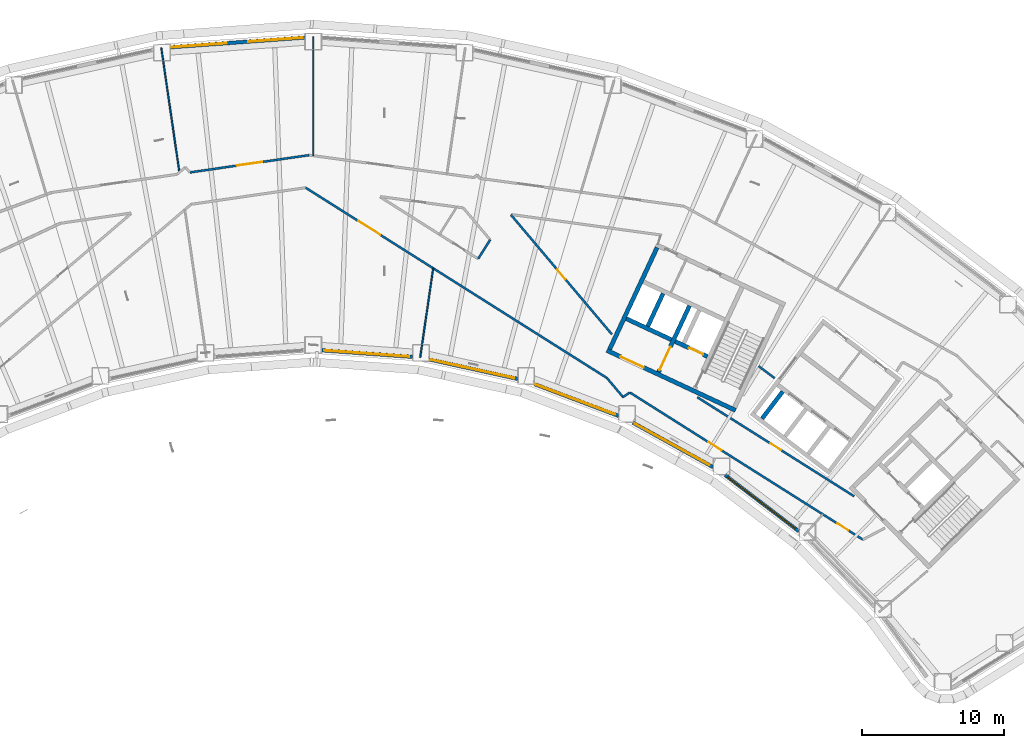
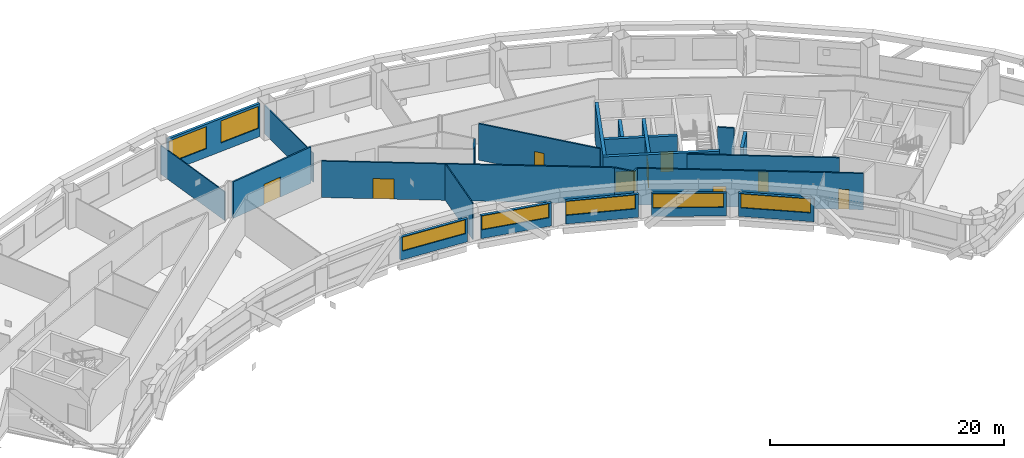
# One storey, part 5 of 19: 25 walls, 9 doors, 7 windows, 16 openings.
"""IFC4 building model written with IfcOpenShell, lengths in metres."""

from ifc_helpers import new_model, si_unit, direction, frame, frame_2d, origin, place, context, subcontext, project, spatial, rectangle, extrude, material, layer, layer_set, type_object, element, fill, save


model = new_model("IFC4")

# Units and contexts
model_context = context("Model", 3, precision=1e-05, world=origin(), true_north=direction((0.0, 1.0)))
body_context = subcontext(model_context, "Body", "Model", "MODEL_VIEW")
ifc_project = project(units=[si_unit("LENGTHUNIT", "METRE"), si_unit("AREAUNIT", "SQUARE_METRE"), si_unit("VOLUMEUNIT", "CUBIC_METRE"), si_unit("PLANEANGLEUNIT", "RADIAN"), si_unit("MASSUNIT", "GRAM", prefix="KILO")], contexts=[model_context])

# Site, building, storey
site_placement = place(None, origin())
site = spatial("IfcSite", under=ifc_project, at=site_placement, CompositionType="ELEMENT")
building_placement = place(site_placement, origin())
building = spatial("IfcBuilding", under=site, at=building_placement, Name="Tuul Gate Civic Tower", CompositionType="ELEMENT")
storey_placement = place(building_placement, frame((0.0, 0.0, 90.60009765625)))
storey = spatial("IfcBuildingStorey", under=building, at=storey_placement, Name="Level 20", CompositionType="ELEMENT", Elevation=90.60009765625)

# Wall, opening, door
ifc_material_1 = material(Name="Concrete C50/60", Category="concrete")
ifc_layer_1 = layer(ifc_material_1, 0.300048828125)
ifc_layer_set_1 = layer_set([ifc_layer_1], Name="Concrete C50/60")
wall_type_1 = type_object("IfcWallType", Name="Core wall C50/60", PredefinedType="SHEAR", material=ifc_layer_set_1)
wall_1_placement = place(storey_placement, frame((34.5283203125, -7.25, 0.0), z_axis=(0.0, 0.0, 1.0), x_axis=(-0.906310338845, 0.422612789327, 0.0)))
wall_1 = element("IfcWall", 1, at=wall_1_placement, inside=storey, type_object=wall_type_1, Name="Core wall", PredefinedType="SHEAR", context=body_context, shape_type="SweptSolid", body=[
    extrude(rectangle(XDim=9.999755859375, YDim=0.300048828125, at=frame_2d((5.0, 0.0))), origin(), (0.0, 0.0, 1.0), 3.7998046875),
])
opening_1_placement = place(wall_1_placement, frame((7.125, 0.0, 0.0)))
opening_1 = element("IfcOpeningElement", 2, at=opening_1_placement, cuts=wall_1, Name="Opening LB-E3-LOBBY-1", PredefinedType="OPENING", context=body_context, shape_type="SweptSolid", body=[
    extrude(rectangle(XDim=1.800048828125, YDim=2.10009765625, at=frame_2d((0.89990234375, 1.050048828125))), frame((0.0, 0.16015625, 0.0), z_axis=(0.0, -1.0, 0.0), x_axis=(1.0, 0.0, 0.0)), (0.0, 0.0, 1.0), 0.320068359375),
])
ifc_material_2 = material(Name="Steel", Category="steel")
door_type_1 = type_object("IfcDoorType", Name="Lobby door", OperationType="DOUBLE_DOOR_SINGLE_SWING", PredefinedType="DOOR", material=ifc_material_2)
door_1_placement = place(opening_1_placement, frame((1.800048828125, 0.0, 0.0), z_axis=(0.0, 0.0, 1.0), x_axis=(-1.0, 0.0, 0.0)))
door_1 = element("IfcDoor", 3, at=door_1_placement, inside=storey, type_object=door_type_1, Name="Lobby door E3-LOBBY", OperationType="DOUBLE_DOOR_SINGLE_SWING", OverallHeight=2.10009765625, OverallWidth=1.800048828125, PredefinedType="DOOR", context=body_context, shape_type="SweptSolid", body=[
    extrude(rectangle(XDim=1.800048828125, YDim=2.10009765625, at=frame_2d((0.900146484375, 1.050048828125))), frame((0.0, 0.02490234375, 0.0), z_axis=(0.0, -1.0, 0.0), x_axis=(1.0, 0.0, 0.0)), (0.0, 0.0, 1.0), 0.050048828125),
])
fill(opening_1, door_1)

wall_2_placement = place(storey_placement, frame((32.545654296875, -3.456787109375, 0.0), z_axis=(0.0, 0.0, 1.0), x_axis=(-0.906300357825, 0.42263419337, 0.0)))
wall_2 = element("IfcWall", 4, at=wall_2_placement, inside=storey, type_object=wall_type_1, Name="Core wall", PredefinedType="SHEAR", context=body_context, shape_type="SweptSolid", body=[
    extrude(rectangle(XDim=2.500244140625, YDim=0.300048828125, at=frame_2d((1.25, 0.0))), origin(), (0.0, 0.0, 1.0), 3.7998046875),
])
opening_2_placement = place(wall_2_placement, frame((0.324951171875, 0.0, 0.0)))
opening_2 = element("IfcOpeningElement", 5, at=opening_2_placement, cuts=wall_2, Name="Opening LD-FF-2", PredefinedType="OPENING", context=body_context, shape_type="SweptSolid", body=[
    extrude(rectangle(XDim=1.10009765625, YDim=2.10009765625, at=frame_2d((0.550048828125, 1.050048828125))), frame((0.0, 0.16015625, 0.0), z_axis=(0.0, -1.0, 0.0), x_axis=(1.0, 0.0, 0.0)), (0.0, 0.0, 1.0), 0.320068359375),
])
ifc_material_3 = material(Name="Stainless steel", Category="steel")
door_type_2 = type_object("IfcDoorType", Name="Landing door", OperationType="DOUBLE_DOOR_SLIDING", PredefinedType="DOOR", material=ifc_material_3)
door_2_placement = place(opening_2_placement, origin())
door_2 = element("IfcDoor", 6, at=door_2_placement, inside=storey, type_object=door_type_2, Name="Fire-fighting lift FF-2 landing door", OperationType="DOUBLE_DOOR_SLIDING", OverallHeight=2.10009765625, OverallWidth=1.10009765625, PredefinedType="DOOR", context=body_context, shape_type="SweptSolid", body=[
    extrude(rectangle(XDim=1.10009765625, YDim=2.10009765625, at=frame_2d((0.550048828125, 1.050048828125))), frame((0.0, 0.02490234375, 0.0), z_axis=(0.0, -1.0, 0.0), x_axis=(1.0, 0.0, 0.0)), (0.0, 0.0, 1.0), 0.050048828125),
])
fill(opening_2, door_2)

# Wall
wall_3_placement = place(storey_placement, frame((30.0078125, -2.2734375, 0.0), z_axis=(0.0, 0.0, 1.0), x_axis=(-0.90630071767, 0.422633421716, 0.0)))
element("IfcWall", 7, at=wall_3_placement, inside=storey, type_object=wall_type_1, Name="Core wall", PredefinedType="SHEAR", context=body_context, shape_type="SweptSolid", body=[
    extrude(rectangle(XDim=3.5, YDim=0.300048828125, at=frame_2d((1.75, 0.0))), origin(), (0.0, 0.0, 1.0), 3.7998046875),
])

# Wall, opening, door
wall_4_placement = place(storey_placement, frame((29.108642578125, -4.557373046875, 0.0), z_axis=(0.0, 0.0, 1.0), x_axis=(0.422566235356, 0.90633204552, 0.0)))
wall_4 = element("IfcWall", 8, at=wall_4_placement, inside=storey, type_object=wall_type_1, Name="Core wall", PredefinedType="SHEAR", context=body_context, shape_type="SweptSolid", body=[
    extrude(rectangle(XDim=5.150146484375, YDim=0.300048828125, at=frame_2d((2.5751953125, 0.0))), origin(), (0.0, 0.0, 1.0), 3.7998046875),
])
opening_3_placement = place(wall_4_placement, frame((0.175048828125, 0.0, 0.0)))
opening_3 = element("IfcOpeningElement", 9, at=opening_3_placement, cuts=wall_4, Name="Opening LB-E3-FLOBBY-1", PredefinedType="OPENING", context=body_context, shape_type="SweptSolid", body=[
    extrude(rectangle(XDim=1.800048828125, YDim=2.10009765625, at=frame_2d((0.89990234375, 1.050048828125))), frame((0.0, 0.16015625, 0.0), z_axis=(0.0, -1.0, 0.0), x_axis=(1.0, 0.0, 0.0)), (0.0, 0.0, 1.0), 0.320068359375),
])
door_3_placement = place(opening_3_placement, frame((1.800048828125, 0.0, 0.0), z_axis=(0.0, 0.0, 1.0), x_axis=(-1.0, 0.0, 0.0)))
door_3 = element("IfcDoor", 10, at=door_3_placement, inside=storey, type_object=door_type_1, Name="Lobby door E3-FLOBBY", OperationType="DOUBLE_DOOR_SINGLE_SWING", OverallHeight=2.10009765625, OverallWidth=1.800048828125, PredefinedType="DOOR", context=body_context, shape_type="SweptSolid", body=[
    extrude(rectangle(XDim=1.800048828125, YDim=2.10009765625, at=frame_2d((0.900146484375, 1.050048828125))), frame((0.0, 0.02490234375, 0.0), z_axis=(0.0, -1.0, 0.0), x_axis=(1.0, 0.0, 0.0)), (0.0, 0.0, 1.0), 0.050048828125),
])
fill(opening_3, door_3)

# Walls
wall_5_placement = place(storey_placement, frame((28.349365234375, -1.33447265625, 0.0), z_axis=(0.0, 0.0, 1.0), x_axis=(0.422612891016, 0.906310291427, 0.0)))
element("IfcWall", 11, at=wall_5_placement, inside=storey, type_object=wall_type_1, Name="Core wall", PredefinedType="SHEAR", context=body_context, shape_type="SweptSolid", body=[
    extrude(rectangle(XDim=2.550048828125, YDim=0.300048828125, at=frame_2d((1.27490234375, 0.0))), origin(), (0.0, 0.0, 1.0), 3.7998046875),
])
wall_6_placement = place(storey_placement, frame((25.66455078125, -2.951416015625, 0.0), z_axis=(0.0, 0.0, 1.0), x_axis=(0.422582604137, 0.906324413596, 0.0)))
element("IfcWall", 12, at=wall_6_placement, inside=storey, type_object=wall_type_1, Name="Core wall", PredefinedType="SHEAR", context=body_context, shape_type="SweptSolid", body=[
    extrude(rectangle(XDim=7.89990234375, YDim=0.300048828125, at=frame_2d((3.949951171875, 0.0))), origin(), (0.0, 0.0, 1.0), 3.7998046875),
])

# Wall, opening, door
ifc_material_4 = material(Name="Gypsum board partition")
ifc_layer_2 = layer(ifc_material_4, 0.14990234375)
ifc_layer_set_2 = layer_set([ifc_layer_2], Name="Gypsum board partition")
wall_type_2 = type_object("IfcWallType", Name="Corridor wall P150", PredefinedType="PARTITIONING", material=ifc_layer_set_2)
wall_7_placement = place(storey_placement, frame((18.71923828125, 6.51220703125, 0.0), z_axis=(0.0, 0.0, 1.0), x_axis=(0.645325771853, -0.763907486665, 0.0)))
wall_7 = element("IfcWall", 13, at=wall_7_placement, inside=storey, type_object=wall_type_2, Name="p016", PredefinedType="PARTITIONING", context=body_context, shape_type="SweptSolid", body=[
    extrude(rectangle(XDim=11.0107421875, YDim=0.14990234375, at=frame_2d((5.50537109375, 0.0))), origin(), (0.0, 0.0, 1.0), 3.7998046875),
])
opening_4_placement = place(wall_7_placement, frame((5.055419921875, 0.0, 0.0)))
opening_4 = element("IfcOpeningElement", 14, at=opening_4_placement, cuts=wall_7, Name="Opening F-D19", PredefinedType="OPENING", context=body_context, shape_type="SweptSolid", body=[
    extrude(rectangle(XDim=0.89990234375, YDim=2.10009765625, at=frame_2d((0.449951171875, 1.050048828125))), frame((0.0, 0.0849609375, 0.0), z_axis=(0.0, -1.0, 0.0), x_axis=(1.0, 0.0, 0.0)), (0.0, 0.0, 1.0), 0.169921875),
])
ifc_material_5 = material(Name="Timber door leaf", Category="wood")
door_type_3 = type_object("IfcDoorType", Name="Door D09", OperationType="NOTDEFINED", PredefinedType="DOOR", material=ifc_material_5)
door_4_placement = place(opening_4_placement, origin())
door_4 = element("IfcDoor", 15, at=door_4_placement, inside=storey, type_object=door_type_3, Name="Door F-D19", OperationType="SINGLE_SWING_RIGHT", OverallHeight=2.10009765625, OverallWidth=0.89990234375, PredefinedType="DOOR", context=body_context, shape_type="SweptSolid", body=[
    extrude(rectangle(XDim=0.89990234375, YDim=2.10009765625, at=frame_2d((0.449951171875, 1.050048828125))), frame((0.0, 0.02490234375, 0.0), z_axis=(0.0, -1.0, 0.0), x_axis=(1.0, 0.0, 0.0)), (0.0, 0.0, 1.0), 0.050048828125),
])
fill(opening_4, door_4)

wall_8_placement = place(storey_placement, frame((-3.867919921875, 9.49658203125, 0.0), z_axis=(0.0, 0.0, 1.0), x_axis=(0.98961974626, 0.143710673967, 0.0)))
wall_8 = element("IfcWall", 16, at=wall_8_placement, inside=storey, type_object=wall_type_2, Name="p022", PredefinedType="PARTITIONING", context=body_context, shape_type="SweptSolid", body=[
    extrude(rectangle(XDim=8.47900390625, YDim=0.14990234375, at=frame_2d((4.239501953125, 0.0))), origin(), (0.0, 0.0, 1.0), 3.7998046875),
])
opening_5_placement = place(wall_8_placement, frame((3.33935546875, 0.0, 0.0)))
opening_5 = element("IfcOpeningElement", 17, at=opening_5_placement, cuts=wall_8, Name="Opening F-D06", PredefinedType="OPENING", context=body_context, shape_type="SweptSolid", body=[
    extrude(rectangle(XDim=1.800048828125, YDim=2.10009765625, at=frame_2d((0.89990234375, 1.050048828125))), frame((0.0, 0.0849609375, 0.0), z_axis=(0.0, -1.0, 0.0), x_axis=(1.0, 0.0, 0.0)), (0.0, 0.0, 1.0), 0.169921875),
])
ifc_material_6 = material(Name="Timber door leaf, double", Category="wood")
door_type_4 = type_object("IfcDoorType", Name="Door D18", OperationType="DOUBLE_DOOR_SINGLE_SWING", PredefinedType="DOOR", material=ifc_material_6)
door_5_placement = place(opening_5_placement, origin())
door_5 = element("IfcDoor", 18, at=door_5_placement, inside=storey, type_object=door_type_4, Name="Door F-D06", OperationType="DOUBLE_DOOR_SINGLE_SWING", OverallHeight=2.10009765625, OverallWidth=1.800048828125, PredefinedType="DOOR", context=body_context, shape_type="SweptSolid", body=[
    extrude(rectangle(XDim=1.800048828125, YDim=2.10009765625, at=frame_2d((0.89990234375, 1.050048828125))), frame((0.0, 0.02490234375, 0.0), z_axis=(0.0, -1.0, 0.0), x_axis=(1.0, 0.0, 0.0)), (0.0, 0.0, 1.0), 0.050048828125),
])
fill(opening_5, door_5)

wall_9_placement = place(storey_placement, frame((4.27490234375, 8.418212890625, 0.0), z_axis=(0.0, 0.0, 1.0), x_axis=(0.845516906365, -0.5339486502, 0.0)))
wall_9 = element("IfcWall", 19, at=wall_9_placement, inside=storey, type_object=wall_type_2, Name="p036", PredefinedType="PARTITIONING", context=body_context, shape_type="SweptSolid", body=[
    extrude(rectangle(XDim=25.066162109375, YDim=0.14990234375, at=frame_2d((12.533203125, 0.0))), origin(), (0.0, 0.0, 1.0), 3.7998046875),
])
opening_6_placement = place(wall_9_placement, frame((4.405517578125, 0.0, 0.0)))
opening_6 = element("IfcOpeningElement", 20, at=opening_6_placement, cuts=wall_9, Name="Opening F-D14", PredefinedType="OPENING", context=body_context, shape_type="SweptSolid", body=[
    extrude(rectangle(XDim=1.800048828125, YDim=2.10009765625, at=frame_2d((0.89990234375, 1.050048828125))), frame((0.0, 0.0849609375, 0.0), z_axis=(0.0, -1.0, 0.0), x_axis=(1.0, 0.0, 0.0)), (0.0, 0.0, 1.0), 0.169921875),
])
door_6_placement = place(opening_6_placement, frame((1.800048828125, 0.0, 0.0), z_axis=(0.0, 0.0, 1.0), x_axis=(-1.0, 0.0, 0.0)))
door_6 = element("IfcDoor", 21, at=door_6_placement, inside=storey, type_object=door_type_4, Name="Door F-D14", OperationType="DOUBLE_DOOR_SINGLE_SWING", OverallHeight=2.10009765625, OverallWidth=1.800048828125, PredefinedType="DOOR", context=body_context, shape_type="SweptSolid", body=[
    extrude(rectangle(XDim=1.800048828125, YDim=2.10009765625, at=frame_2d((0.900146484375, 1.050048828125))), frame((0.0, 0.02490234375, 0.0), z_axis=(0.0, -1.0, 0.0), x_axis=(1.0, 0.0, 0.0)), (0.0, 0.0, 1.0), 0.050048828125),
])
fill(opening_6, door_6)

# Wall, openings, doors
wall_10_placement = place(storey_placement, frame((27.0966796875, -5.993896484375, 0.0), z_axis=(0.0, 0.0, 1.0), x_axis=(0.845518831445, -0.533945601791, 0.0)))
wall_10 = element("IfcWall", 22, at=wall_10_placement, inside=storey, type_object=wall_type_2, Name="p037", PredefinedType="PARTITIONING", context=body_context, shape_type="SweptSolid", body=[
    extrude(rectangle(XDim=19.38330078125, YDim=0.14990234375, at=frame_2d((9.691650390625, 0.0))), origin(), (0.0, 0.0, 1.0), 3.7998046875),
])
opening_7_placement = place(wall_10_placement, frame((17.2646484375, 0.0, 0.0)))
opening_7 = element("IfcOpeningElement", 23, at=opening_7_placement, cuts=wall_10, Name="Opening F-D12", PredefinedType="OPENING", context=body_context, shape_type="SweptSolid", body=[
    extrude(rectangle(XDim=0.89990234375, YDim=2.10009765625, at=frame_2d((0.449951171875, 1.050048828125))), frame((0.0, 0.0849609375, 0.0), z_axis=(0.0, -1.0, 0.0), x_axis=(1.0, 0.0, 0.0)), (0.0, 0.0, 1.0), 0.169921875),
])
opening_8_placement = place(wall_10_placement, frame((6.52294921875, 0.0, 0.0)))
opening_8 = element("IfcOpeningElement", 24, at=opening_8_placement, cuts=wall_10, Name="Opening F-D13", PredefinedType="OPENING", context=body_context, shape_type="SweptSolid", body=[
    extrude(rectangle(XDim=1.10009765625, YDim=2.10009765625, at=frame_2d((0.550048828125, 1.050048828125))), frame((0.0, 0.0849609375, 0.0), z_axis=(0.0, -1.0, 0.0), x_axis=(1.0, 0.0, 0.0)), (0.0, 0.0, 1.0), 0.169921875),
])
door_7_placement = place(opening_7_placement, frame((0.89990234375, 0.0, 0.0), z_axis=(0.0, 0.0, 1.0), x_axis=(-1.0, 0.0, 0.0)))
door_7 = element("IfcDoor", 25, at=door_7_placement, inside=storey, type_object=door_type_3, Name="Door F-D12", OperationType="SINGLE_SWING_RIGHT", OverallHeight=2.10009765625, OverallWidth=0.89990234375, PredefinedType="DOOR", context=body_context, shape_type="SweptSolid", body=[
    extrude(rectangle(XDim=0.89990234375, YDim=2.10009765625, at=frame_2d((0.449951171875, 1.050048828125))), frame((0.0, 0.02490234375, 0.0), z_axis=(0.0, -1.0, 0.0), x_axis=(1.0, 0.0, 0.0)), (0.0, 0.0, 1.0), 0.050048828125),
])
fill(opening_7, door_7)
ifc_material_7 = material(Name="Timber door leaf", Category="wood")
door_type_5 = type_object("IfcDoorType", Name="Door D11", OperationType="NOTDEFINED", PredefinedType="DOOR", material=ifc_material_7)
door_8_placement = place(opening_8_placement, origin())
door_8 = element("IfcDoor", 26, at=door_8_placement, inside=storey, type_object=door_type_5, Name="Door F-D13", OperationType="SINGLE_SWING_RIGHT", OverallHeight=2.10009765625, OverallWidth=1.10009765625, PredefinedType="DOOR", context=body_context, shape_type="SweptSolid", body=[
    extrude(rectangle(XDim=1.10009765625, YDim=2.10009765625, at=frame_2d((0.550048828125, 1.050048828125))), frame((0.0, 0.02490234375, 0.0), z_axis=(0.0, -1.0, 0.0), x_axis=(1.0, 0.0, 0.0)), (0.0, 0.0, 1.0), 0.050048828125),
])
fill(opening_8, door_8)

# Walls
wall_11_placement = place(storey_placement, frame((25.473388671875, -4.969970703125, 0.0), z_axis=(0.0, 0.0, 1.0), x_axis=(0.645326532982, -0.763906843685, 0.0)))
element("IfcWall", 27, at=wall_11_placement, inside=storey, type_object=wall_type_2, Name="p040", PredefinedType="PARTITIONING", context=body_context, shape_type="SweptSolid", body=[
    extrude(rectangle(XDim=1.76025390625, YDim=0.14990234375, at=frame_2d((0.880126953125, 0.0))), origin(), (0.0, 0.0, 1.0), 3.7998046875),
])
wall_12_placement = place(storey_placement, frame((26.610107421875, -6.314697265625, 0.0), z_axis=(0.0, 0.0, 1.0), x_axis=(0.823296444499, 0.56761163173, 0.0)))
element("IfcWall", 28, at=wall_12_placement, inside=storey, type_object=wall_type_2, Name="p041", PredefinedType="PARTITIONING", context=body_context, shape_type="SweptSolid", body=[
    extrude(rectangle(XDim=0.564208984375, YDim=0.14990234375, at=frame_2d((0.2822265625, 0.0))), origin(), (0.0, 0.0, 1.0), 3.7998046875),
])
wall_13_placement = place(storey_placement, frame((16.41162109375, 3.414794921875, 0.0), z_axis=(0.0, 0.0, 1.0), x_axis=(0.533882906969, 0.845558420008, 0.0)))
element("IfcWall", 29, at=wall_13_placement, inside=storey, type_object=wall_type_2, Name="p050", PredefinedType="PARTITIONING", context=body_context, shape_type="SweptSolid", body=[
    extrude(rectangle(XDim=1.58544921875, YDim=0.14990234375, at=frame_2d((0.792724609375, 0.0))), origin(), (0.0, 0.0, 1.0), 3.7998046875),
])

# Wall, opening, door
wall_14_placement = place(storey_placement, frame((31.836181640625, -6.32568359375, 0.0), z_axis=(0.0, 0.0, 1.0), x_axis=(0.845516019535, -0.533950054509, 0.0)))
wall_14 = element("IfcWall", 30, at=wall_14_placement, inside=storey, type_object=wall_type_2, Name="p052", PredefinedType="PARTITIONING", context=body_context, shape_type="SweptSolid", body=[
    extrude(rectangle(XDim=13.050048828125, YDim=0.14990234375, at=frame_2d((6.52490234375, 0.0))), origin(), (0.0, 0.0, 1.0), 3.7998046875),
])
opening_9_placement = place(wall_14_placement, frame((6.074951171875, 0.0, 0.0)))
opening_9 = element("IfcOpeningElement", 31, at=opening_9_placement, cuts=wall_14, Name="Opening F-D18", PredefinedType="OPENING", context=body_context, shape_type="SweptSolid", body=[
    extrude(rectangle(XDim=0.89990234375, YDim=2.10009765625, at=frame_2d((0.449951171875, 1.050048828125))), frame((0.0, 0.0849609375, 0.0), z_axis=(0.0, -1.0, 0.0), x_axis=(1.0, 0.0, 0.0)), (0.0, 0.0, 1.0), 0.169921875),
])
door_9_placement = place(opening_9_placement, frame((0.89990234375, 0.0, 0.0), z_axis=(0.0, 0.0, 1.0), x_axis=(-1.0, 0.0, 0.0)))
door_9 = element("IfcDoor", 32, at=door_9_placement, inside=storey, type_object=door_type_3, Name="Door F-D18", OperationType="SINGLE_SWING_LEFT", OverallHeight=2.10009765625, OverallWidth=0.89990234375, PredefinedType="DOOR", context=body_context, shape_type="SweptSolid", body=[
    extrude(rectangle(XDim=0.89990234375, YDim=2.10009765625, at=frame_2d((0.449951171875, 1.050048828125))), frame((0.0, 0.02490234375, 0.0), z_axis=(0.0, -1.0, 0.0), x_axis=(1.0, 0.0, 0.0)), (0.0, 0.0, 1.0), 0.050048828125),
])
fill(opening_9, door_9)

# Wall
wall_15_placement = place(storey_placement, frame((36.147705078125, -4.13330078125, 0.0), z_axis=(0.0, 0.0, 1.0), x_axis=(0.798976694108, -0.601361989382, 0.0)))
element("IfcWall", 33, at=wall_15_placement, inside=storey, type_object=wall_type_2, Name="p054", PredefinedType="PARTITIONING", context=body_context, shape_type="SweptSolid", body=[
    extrude(rectangle(XDim=1.43310546875, YDim=0.14990234375, at=frame_2d((0.716552734375, 0.0))), origin(), (0.0, 0.0, 1.0), 3.7998046875),
])

# Wall, openings, windows
ifc_material_8 = material(Name="Precast concrete C40/50", Category="concrete")
ifc_layer_3 = layer(ifc_material_8, 0.25)
ifc_layer_set_3 = layer_set([ifc_layer_3], Name="Precast concrete C40/50")
wall_type_3 = type_object("IfcWallType", Name="External wall", PredefinedType="STANDARD", material=ifc_layer_set_3)
wall_16_placement = place(storey_placement, frame((4.2080078125, 18.9892578125, 0.0), z_axis=(0.0, 0.0, 1.0), x_axis=(-0.997387702814, -0.072234135106, 0.0)))
wall_16 = element("IfcWall", 34, at=wall_16_placement, inside=storey, type_object=wall_type_3, Name="External wall", PredefinedType="STANDARD", context=body_context, shape_type="SweptSolid", body=[
    extrude(rectangle(XDim=9.4736328125, YDim=0.25, at=frame_2d((4.73681640625, 0.0))), origin(), (0.0, 0.0, 1.0), 3.449951171875),
])
opening_10_placement = place(wall_16_placement, frame((0.14990234375, 0.0, 0.89990234375)))
opening_10 = element("IfcOpeningElement", 35, at=opening_10_placement, cuts=wall_16, Name="Opening W22", PredefinedType="OPENING", context=body_context, shape_type="SweptSolid", body=[
    extrude(rectangle(XDim=3.85009765625, YDim=2.300048828125, at=frame_2d((1.925048828125, 1.14990234375))), frame((0.0, 0.135009765625, 0.0), z_axis=(0.0, -1.0, 0.0), x_axis=(1.0, 0.0, 0.0)), (0.0, 0.0, 1.0), 0.27001953125),
])
opening_11_placement = place(wall_16_placement, frame((5.52099609375, 0.0, 0.89990234375)))
opening_11 = element("IfcOpeningElement", 36, at=opening_11_placement, cuts=wall_16, Name="Opening W22", PredefinedType="OPENING", context=body_context, shape_type="SweptSolid", body=[
    extrude(rectangle(XDim=3.85009765625, YDim=2.300048828125, at=frame_2d((1.925048828125, 1.14990234375))), frame((0.0, 0.135009765625, 0.0), z_axis=(0.0, -1.0, 0.0), x_axis=(1.0, 0.0, 0.0)), (0.0, 0.0, 1.0), 0.27001953125),
])
ifc_material_9 = material(Name="Glass", Category="glass")
window_type_1 = type_object("IfcWindowType", Name="Window W22 3850 x 2300", PartitioningType="SINGLE_PANEL", PredefinedType="WINDOW", material=ifc_material_9)
window_1_placement = place(opening_10_placement, origin())
window_1 = element("IfcWindow", 37, at=window_1_placement, inside=storey, type_object=window_type_1, Name="Window", OverallHeight=2.300048828125, OverallWidth=3.85009765625, PartitioningType="SINGLE_PANEL", PredefinedType="WINDOW", context=body_context, shape_type="SweptSolid", body=[
    extrude(rectangle(XDim=3.85009765625, YDim=2.300048828125, at=frame_2d((1.925048828125, 1.14990234375))), frame((0.0, 0.030029296875, 0.0), z_axis=(0.0, -1.0, 0.0), x_axis=(1.0, 0.0, 0.0)), (0.0, 0.0, 1.0), 0.06005859375),
])
fill(opening_10, window_1)
window_2_placement = place(opening_11_placement, origin())
window_2 = element("IfcWindow", 38, at=window_2_placement, inside=storey, type_object=window_type_1, Name="Window", OverallHeight=2.300048828125, OverallWidth=3.85009765625, PartitioningType="SINGLE_PANEL", PredefinedType="WINDOW", context=body_context, shape_type="SweptSolid", body=[
    extrude(rectangle(XDim=3.85009765625, YDim=2.300048828125, at=frame_2d((1.925048828125, 1.14990234375))), frame((0.0, 0.030029296875, 0.0), z_axis=(0.0, -1.0, 0.0), x_axis=(1.0, 0.0, 0.0)), (0.0, 0.0, 1.0), 0.06005859375),
])
fill(opening_11, window_2)

# Wall, opening, window
ifc_material_10 = material(Name="Precast concrete C40/50", Category="concrete")
ifc_layer_4 = layer(ifc_material_10, 0.25)
ifc_layer_set_4 = layer_set([ifc_layer_4], Name="Precast concrete C40/50")
wall_type_4 = type_object("IfcWallType", Name="External wall 2400 HIGH", PredefinedType="STANDARD", material=ifc_layer_set_4)
wall_17_placement = place(storey_placement, frame((5.407958984375, -3.01806640625, 0.0), z_axis=(0.0, 0.0, 1.0), x_axis=(0.997382879348, -0.072300705277, 0.0)))
wall_17 = element("IfcWall", 39, at=wall_17_placement, inside=storey, type_object=wall_type_4, Name="External wall", PredefinedType="STANDARD", context=body_context, shape_type="SweptSolid", body=[
    extrude(rectangle(XDim=6.388671875, YDim=0.25, at=frame_2d((3.1943359375, 0.0))), origin(), (0.0, 0.0, 1.0), 2.39990234375),
])
opening_12_placement = place(wall_17_placement, frame((0.1708984375, 0.0, 0.89990234375)))
opening_12 = element("IfcOpeningElement", 40, at=opening_12_placement, cuts=wall_17, Name="Opening W107", PredefinedType="OPENING", context=body_context, shape_type="SweptSolid", body=[
    extrude(rectangle(XDim=6.0, YDim=1.449951171875, at=frame_2d((3.0, 0.72509765625))), frame((0.0, 0.135009765625, 0.0), z_axis=(0.0, -1.0, 0.0), x_axis=(1.0, 0.0, 0.0)), (0.0, 0.0, 1.0), 0.27001953125),
])
ifc_material_11 = material(Name="Glass", Category="glass")
window_type_2 = type_object("IfcWindowType", Name="Window W107 6000 x 1450", PartitioningType="SINGLE_PANEL", PredefinedType="WINDOW", material=ifc_material_11)
window_3_placement = place(opening_12_placement, origin())
window_3 = element("IfcWindow", 41, at=window_3_placement, inside=storey, type_object=window_type_2, Name="Window", OverallHeight=1.449951171875, OverallWidth=6.0, PartitioningType="SINGLE_PANEL", PredefinedType="WINDOW", context=body_context, shape_type="SweptSolid", body=[
    extrude(rectangle(XDim=6.0, YDim=1.449951171875, at=frame_2d((3.0, 0.72509765625))), frame((0.0, 0.030029296875, 0.0), z_axis=(0.0, -1.0, 0.0), x_axis=(1.0, 0.0, 0.0)), (0.0, 0.0, 1.0), 0.06005859375),
])
fill(opening_12, window_3)

wall_18_placement = place(storey_placement, frame((12.97998046875, -3.66259765625, 0.0), z_axis=(0.0, 0.0, 1.0), x_axis=(0.97656114485, -0.215240169041, 0.0)))
wall_18 = element("IfcWall", 42, at=wall_18_placement, inside=storey, type_object=wall_type_4, Name="External wall", PredefinedType="STANDARD", context=body_context, shape_type="SweptSolid", body=[
    extrude(rectangle(XDim=6.36328125, YDim=0.25, at=frame_2d((3.181640625, 0.0))), origin(), (0.0, 0.0, 1.0), 2.39990234375),
])
opening_13_placement = place(wall_18_placement, frame((0.110107421875, 0.0, 0.89990234375)))
opening_13 = element("IfcOpeningElement", 43, at=opening_13_placement, cuts=wall_18, Name="Opening W107", PredefinedType="OPENING", context=body_context, shape_type="SweptSolid", body=[
    extrude(rectangle(XDim=6.0, YDim=1.449951171875, at=frame_2d((3.0, 0.72509765625))), frame((0.0, 0.135009765625, 0.0), z_axis=(0.0, -1.0, 0.0), x_axis=(1.0, 0.0, 0.0)), (0.0, 0.0, 1.0), 0.27001953125),
])
window_4_placement = place(opening_13_placement, origin())
window_4 = element("IfcWindow", 44, at=window_4_placement, inside=storey, type_object=window_type_2, Name="Window", OverallHeight=1.449951171875, OverallWidth=6.0, PartitioningType="SINGLE_PANEL", PredefinedType="WINDOW", context=body_context, shape_type="SweptSolid", body=[
    extrude(rectangle(XDim=6.0, YDim=1.449951171875, at=frame_2d((3.0, 0.72509765625))), frame((0.0, 0.030029296875, 0.0), z_axis=(0.0, -1.0, 0.0), x_axis=(1.0, 0.0, 0.0)), (0.0, 0.0, 1.0), 0.06005859375),
])
fill(opening_13, window_4)

wall_19_placement = place(storey_placement, frame((20.39404296875, -5.406005859375, 0.0), z_axis=(0.0, 0.0, 1.0), x_axis=(0.935355477431, -0.353709104829, 0.0)))
wall_19 = element("IfcWall", 45, at=wall_19_placement, inside=storey, type_object=wall_type_4, Name="External wall", PredefinedType="STANDARD", context=body_context, shape_type="SweptSolid", body=[
    extrude(rectangle(XDim=6.30859375, YDim=0.25, at=frame_2d((3.154296875, 0.0))), origin(), (0.0, 0.0, 1.0), 2.39990234375),
])
opening_14_placement = place(wall_19_placement, frame((0.031005859375, 0.0, 0.89990234375)))
opening_14 = element("IfcOpeningElement", 46, at=opening_14_placement, cuts=wall_19, Name="Opening W107", PredefinedType="OPENING", context=body_context, shape_type="SweptSolid", body=[
    extrude(rectangle(XDim=6.0, YDim=1.449951171875, at=frame_2d((3.0, 0.72509765625))), frame((0.0, 0.135009765625, 0.0), z_axis=(0.0, -1.0, 0.0), x_axis=(1.0, 0.0, 0.0)), (0.0, 0.0, 1.0), 0.27001953125),
])
window_5_placement = place(opening_14_placement, origin())
window_5 = element("IfcWindow", 47, at=window_5_placement, inside=storey, type_object=window_type_2, Name="Window", OverallHeight=1.449951171875, OverallWidth=6.0, PartitioningType="SINGLE_PANEL", PredefinedType="WINDOW", context=body_context, shape_type="SweptSolid", body=[
    extrude(rectangle(XDim=6.0, YDim=1.449951171875, at=frame_2d((3.0, 0.72509765625))), frame((0.0, 0.030029296875, 0.0), z_axis=(0.0, -1.0, 0.0), x_axis=(1.0, 0.0, 0.0)), (0.0, 0.0, 1.0), 0.06005859375),
])
fill(opening_14, window_5)

wall_20_placement = place(storey_placement, frame((27.307373046875, -8.116943359375, 0.0), z_axis=(0.0, 0.0, 1.0), x_axis=(0.874625787744, -0.484798650384, 0.0)))
wall_20 = element("IfcWall", 48, at=wall_20_placement, inside=storey, type_object=wall_type_4, Name="External wall", PredefinedType="STANDARD", context=body_context, shape_type="SweptSolid", body=[
    extrude(rectangle(XDim=6.434326171875, YDim=0.25, at=frame_2d((3.21728515625, 0.0))), origin(), (0.0, 0.0, 1.0), 2.39990234375),
])
opening_15_placement = place(wall_20_placement, frame((0.14404296875, 0.0, 0.89990234375)))
opening_15 = element("IfcOpeningElement", 49, at=opening_15_placement, cuts=wall_20, Name="Opening W107", PredefinedType="OPENING", context=body_context, shape_type="SweptSolid", body=[
    extrude(rectangle(XDim=6.0, YDim=1.449951171875, at=frame_2d((3.0, 0.72509765625))), frame((0.0, 0.135009765625, 0.0), z_axis=(0.0, -1.0, 0.0), x_axis=(1.0, 0.0, 0.0)), (0.0, 0.0, 1.0), 0.27001953125),
])
window_6_placement = place(opening_15_placement, origin())
window_6 = element("IfcWindow", 50, at=window_6_placement, inside=storey, type_object=window_type_2, Name="Window", OverallHeight=1.449951171875, OverallWidth=6.0, PartitioningType="SINGLE_PANEL", PredefinedType="WINDOW", context=body_context, shape_type="SweptSolid", body=[
    extrude(rectangle(XDim=6.0, YDim=1.449951171875, at=frame_2d((3.0, 0.72509765625))), frame((0.0, 0.030029296875, 0.0), z_axis=(0.0, -1.0, 0.0), x_axis=(1.0, 0.0, 0.0)), (0.0, 0.0, 1.0), 0.06005859375),
])
fill(opening_15, window_6)

wall_21_placement = place(storey_placement, frame((33.785888671875, -11.797119140625, 0.0), z_axis=(0.0, 0.0, 1.0), x_axis=(0.795581202254, -0.605846969639, 0.0)))
wall_21 = element("IfcWall", 51, at=wall_21_placement, inside=storey, type_object=wall_type_4, Name="External wall", PredefinedType="STANDARD", context=body_context, shape_type="SweptSolid", body=[
    extrude(rectangle(XDim=6.5224609375, YDim=0.25, at=frame_2d((3.26123046875, 0.0))), origin(), (0.0, 0.0, 1.0), 2.39990234375),
])
opening_16_placement = place(wall_21_placement, frame((0.23291015625, 0.0, 0.89990234375)))
opening_16 = element("IfcOpeningElement", 52, at=opening_16_placement, cuts=wall_21, Name="Opening W107", PredefinedType="OPENING", context=body_context, shape_type="SweptSolid", body=[
    extrude(rectangle(XDim=6.0, YDim=1.449951171875, at=frame_2d((3.0, 0.72509765625))), frame((0.0, 0.135009765625, 0.0), z_axis=(0.0, -1.0, 0.0), x_axis=(1.0, 0.0, 0.0)), (0.0, 0.0, 1.0), 0.27001953125),
])
window_7_placement = place(opening_16_placement, origin())
window_7 = element("IfcWindow", 53, at=window_7_placement, inside=storey, type_object=window_type_2, Name="Window", OverallHeight=1.449951171875, OverallWidth=6.0, PartitioningType="SINGLE_PANEL", PredefinedType="WINDOW", context=body_context, shape_type="SweptSolid", body=[
    extrude(rectangle(XDim=6.0, YDim=1.449951171875, at=frame_2d((3.0, 0.72509765625))), frame((0.0, 0.030029296875, 0.0), z_axis=(0.0, -1.0, 0.0), x_axis=(1.0, 0.0, 0.0)), (0.0, 0.0, 1.0), 0.06005859375),
])
fill(opening_16, window_7)

# Walls
ifc_material_12 = material(Name="Concrete C40/50", Category="concrete")
ifc_layer_5 = layer(ifc_material_12, 0.300048828125)
ifc_layer_set_5 = layer_set([ifc_layer_5], Name="Concrete C40/50")
wall_type_5 = type_object("IfcWallType", Name="Lift shaft wall C40/50", PredefinedType="STANDARD", material=ifc_layer_set_5)
wall_22_placement = place(storey_placement, frame((36.389892578125, -7.832275390625, -0.300048828125), z_axis=(0.0, 0.0, 1.0), x_axis=(0.605745892068, 0.79565816419, 0.0)))
element("IfcWall", 54, at=wall_22_placement, inside=storey, type_object=wall_type_5, Name="Shaft wall", PredefinedType="STANDARD", context=body_context, shape_type="SweptSolid", body=[
    extrude(rectangle(XDim=2.400146484375, YDim=0.300048828125, at=frame_2d((1.2001953125, 0.0))), origin(), (0.0, 0.0, 1.0), 4.099853515625),
])
ifc_material_13 = material(Name="Gypsum board partition")
ifc_layer_6 = layer(ifc_material_13, 0.10009765625)
ifc_layer_set_6 = layer_set([ifc_layer_6], Name="Gypsum board partition")
wall_type_6 = type_object("IfcWallType", Name="Partition P100", PredefinedType="PARTITIONING", material=ifc_layer_set_6)
wall_23_placement = place(storey_placement, frame((12.33251953125, -3.52490234375, 0.0), z_axis=(0.0, 0.0, 1.0), x_axis=(0.144093341329, 0.989564100493, 0.0)))
element("IfcWall", 55, at=wall_23_placement, inside=storey, type_object=wall_type_6, Name="p013", PredefinedType="PARTITIONING", context=body_context, shape_type="SweptSolid", body=[
    extrude(rectangle(XDim=6.343505859375, YDim=0.10009765625, at=frame_2d((3.171875, 0.0))), origin(), (0.0, 0.0, 1.0), 3.7998046875),
])
ifc_material_14 = material(Name="Gypsum board partition")
ifc_layer_7 = layer(ifc_material_14, 0.10009765625)
ifc_layer_set_7 = layer_set([ifc_layer_7], Name="Gypsum board partition")
wall_type_7 = type_object("IfcWallType", Name="Partition P100 3000 HIGH", PredefinedType="PARTITIONING", material=ifc_layer_set_7)
wall_24_placement = place(storey_placement, frame((4.808349609375, 10.676513671875, 0.0), z_axis=(0.0, 0.0, 1.0), x_axis=(0.0, 1.0, 0.0)))
element("IfcWall", 56, at=wall_24_placement, inside=storey, type_object=wall_type_7, Name="p018", PredefinedType="PARTITIONING", context=body_context, shape_type="SweptSolid", body=[
    extrude(rectangle(XDim=8.361083984375, YDim=0.10009765625, at=frame_2d((4.1806640625, 0.0))), origin(), (0.0, 0.0, 1.0), 3.0),
])
wall_25_placement = place(storey_placement, frame((-5.888916015625, 18.262939453125, 0.0), z_axis=(0.0, 0.0, 1.0), x_axis=(0.144116674393, -0.989560702616, 0.0)))
element("IfcWall", 57, at=wall_25_placement, inside=storey, type_object=wall_type_7, Name="p019", PredefinedType="PARTITIONING", context=body_context, shape_type="SweptSolid", body=[
    extrude(rectangle(XDim=8.849609375, YDim=0.10009765625, at=frame_2d((4.4248046875, 0.0))), origin(), (0.0, 0.0, 1.0), 3.0),
])

save(model, "model.ifc")
